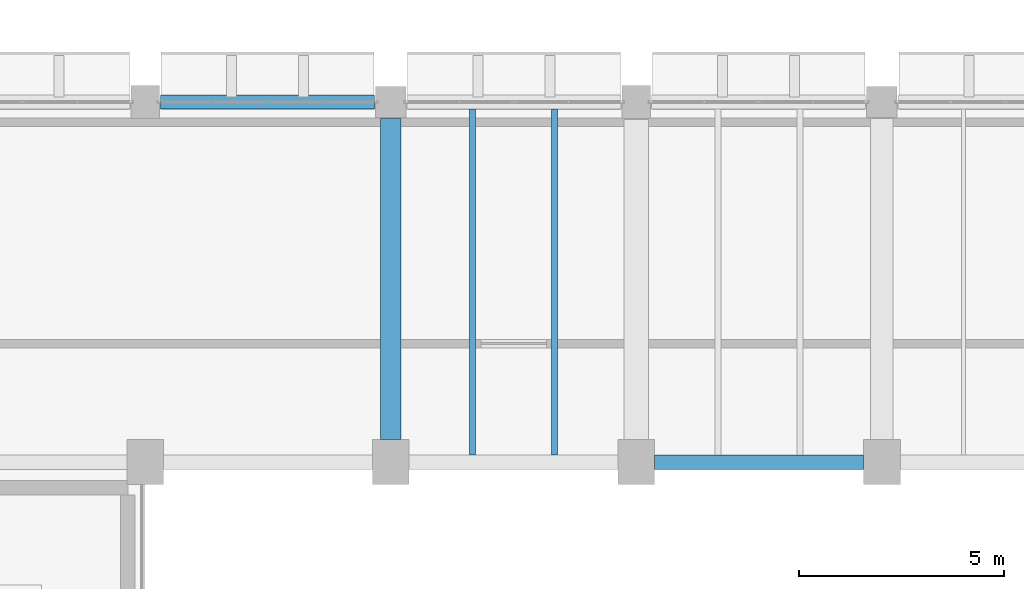
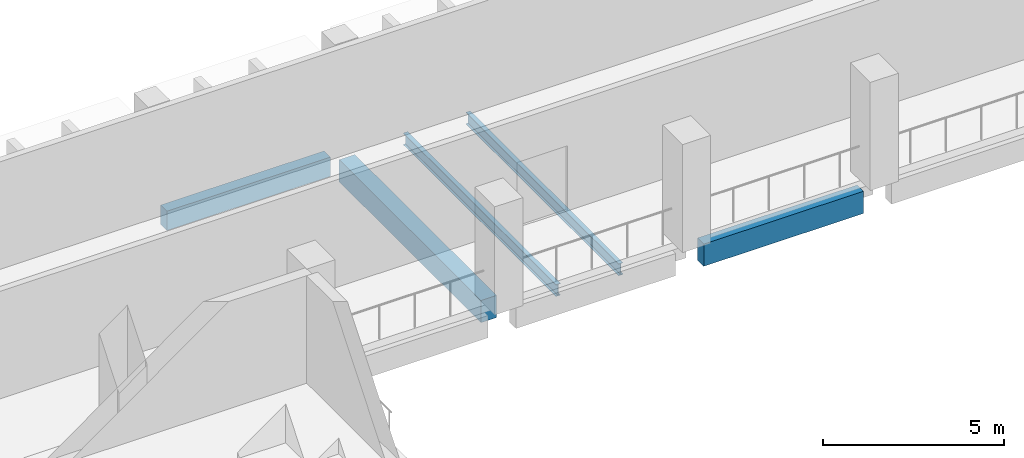
# One storey, part 37 of 80: 5 beams.
"""IFC4 building model written with IfcOpenShell, lengths in metres."""

from ifc_helpers import new_model, si_unit, direction, frame, origin, origin_2d, place, context, subcontext, project, spatial, rectangle, i_section, extrude, material, material_profile, profile_set, type_object, element, save


model = new_model("IFC4")

# Units and contexts
model_context = context("Model", 3, precision=1e-05, world=origin(), true_north=direction((0.0, 1.0)))
body_context = subcontext(model_context, "Body", "Model", "MODEL_VIEW")
ifc_project = project(units=[si_unit("LENGTHUNIT", "METRE"), si_unit("AREAUNIT", "SQUARE_METRE"), si_unit("VOLUMEUNIT", "CUBIC_METRE"), si_unit("PLANEANGLEUNIT", "RADIAN"), si_unit("MASSUNIT", "GRAM", prefix="KILO")], contexts=[model_context])

# Site, building, storey
site_placement = place(None, origin())
site = spatial("IfcSite", under=ifc_project, at=site_placement, CompositionType="ELEMENT")
building_placement = place(site_placement, origin())
building = spatial("IfcBuilding", under=site, at=building_placement, Name="Varnakota Cinema and Media Centre", CompositionType="ELEMENT")
storey_placement = place(building_placement, frame((0.0, 0.0, 4.5)))
storey = spatial("IfcBuildingStorey", under=building, at=storey_placement, Name="L01", CompositionType="ELEMENT", Elevation=4.5)

# Beams
ifc_material_1 = material(Name="Concrete M35", Category="concrete")
ifc_material_profile_1 = material_profile(ifc_material_1, rectangle(XDim=0.5, YDim=0.75, at=origin_2d()), Name="RCB 500x750")
ifc_profile_set_1 = profile_set([ifc_material_profile_1], Name="Concrete M35")
beam_type_1 = type_object("IfcBeamType", Name="BM-RC-500x750", PredefinedType="BEAM", material=ifc_profile_set_1)
beam_1_placement = place(storey_placement, frame((99.0, 35.75, -0.625), z_axis=(0.0, 1.0, 0.0), x_axis=(-1.0, 0.0, 0.0)))
element("IfcBeam", 1, at=beam_1_placement, inside=storey, type_object=beam_type_1, Name="L01 girder P/5-6", PredefinedType="BEAM", context=body_context, shape_type="SweptSolid", body=[
    extrude(rectangle(XDim=0.5, YDim=0.75, at=origin_2d()), origin(), (0.0, 0.0, 1.0), 7.85009765625),
])
ifc_material_2 = material(Name="Concrete M40", Category="concrete")
ifc_material_profile_2 = material_profile(ifc_material_2, rectangle(XDim=0.35009765625, YDim=0.64990234375, at=origin_2d()), Name="RCB 350x650")
ifc_profile_set_2 = profile_set([ifc_material_profile_2], Name="Concrete M40")
beam_type_2 = type_object("IfcBeamType", Name="BM-SP-350x650", PredefinedType="SPANDREL", material=ifc_profile_set_2)
beam_2_placement = place(storey_placement, frame((93.375, 44.0, -0.574951171875), z_axis=(1.0, 0.0, 0.0), x_axis=(0.0, 1.0, 0.0)))
element("IfcBeam", 2, at=beam_2_placement, inside=storey, type_object=beam_type_2, Name="L01 girder N-P/6", PredefinedType="SPANDREL", context=body_context, shape_type="SweptSolid", body=[
    extrude(rectangle(XDim=0.35009765625, YDim=0.64990234375, at=origin_2d()), origin(), (0.0, 0.0, 1.0), 5.22509765625),
])
ifc_material_3 = material(Name="Concrete M40", Category="concrete")
ifc_material_profile_3 = material_profile(ifc_material_3, rectangle(XDim=0.35009765625, YDim=0.75, at=origin_2d()), Name="RCB 350x750")
ifc_profile_set_3 = profile_set([ifc_material_profile_3], Name="Concrete M40")
beam_type_3 = type_object("IfcBeamType", Name="BM-SP-350x750", PredefinedType="SPANDREL", material=ifc_profile_set_3)
beam_3_placement = place(storey_placement, frame((105.449951171875, 35.199951171875, -0.625), z_axis=(1.0, 0.0, 0.0), x_axis=(0.0, 1.0, 0.0)))
element("IfcBeam", 3, at=beam_3_placement, inside=storey, type_object=beam_type_3, Name="L01 girder Q-R/5", PredefinedType="SPANDREL", context=body_context, shape_type="SweptSolid", body=[
    extrude(rectangle(XDim=0.35009765625, YDim=0.75, at=origin_2d()), origin(), (0.0, 0.0, 1.0), 5.10009765625),
])
ifc_material_4 = material(Name="Structural steel Grade 350 (E350)", Category="steel")
ifc_material_profile_4 = material_profile(ifc_material_4, i_section(OverallWidth=0.139892578125, OverallDepth=0.39990234375, WebThickness=0.0087890625, FlangeThickness=0.01611328125, FilletRadius=0.013916015625, at=origin_2d()), Name="ISMB 400")
ifc_profile_set_4 = profile_set([ifc_material_profile_4], Name="Structural steel Grade 350 (E350)")
beam_type_4 = type_object("IfcBeamType", Name="BM-ST-ISMB400", PredefinedType="JOIST", material=ifc_profile_set_4)
for number, where, z_axis, x_axis, name in (
    (4, (101.0, 35.375, -0.449951171875), (0.0, 1.0, 0.0), (-1.0, 0.0, 0.0), "L01 steel joist P-Q/5-6 #1"),
    (5, (103.0, 35.375, -0.449951171875), (0.0, 1.0, 0.0), (-1.0, 0.0, 0.0), "L01 steel joist P-Q/5-6 #2"),
):
    element("IfcBeam", number, at=place(storey_placement, frame(where, z_axis=z_axis, x_axis=x_axis)), inside=storey, type_object=beam_type_4, Name=name, PredefinedType="JOIST", context=body_context, shape_type="SweptSolid", body=[
        extrude(i_section(OverallWidth=0.139892578125, OverallDepth=0.39990234375, WebThickness=0.0087890625, FlangeThickness=0.01611328125, FilletRadius=0.013916015625, at=origin_2d()), origin(), (0.0, 0.0, 1.0), 8.449951171875),
    ])

save(model, "model.ifc")
